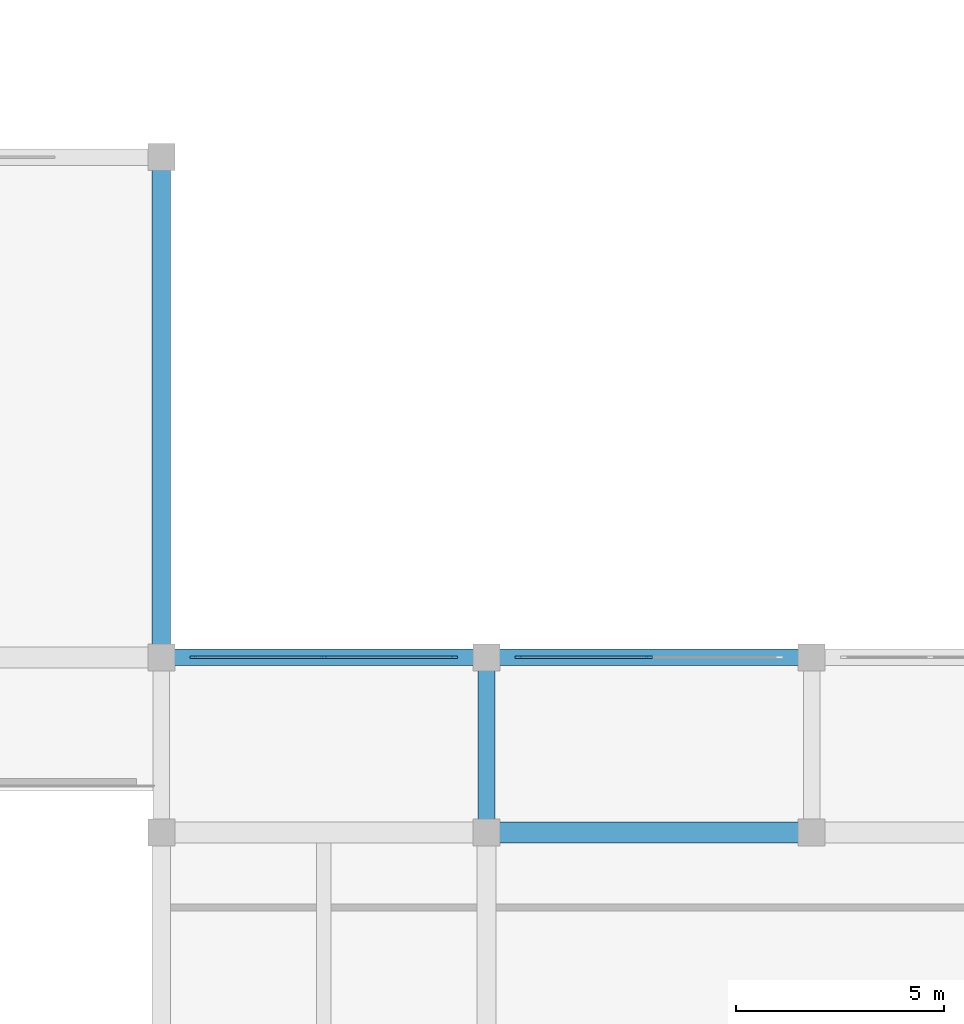
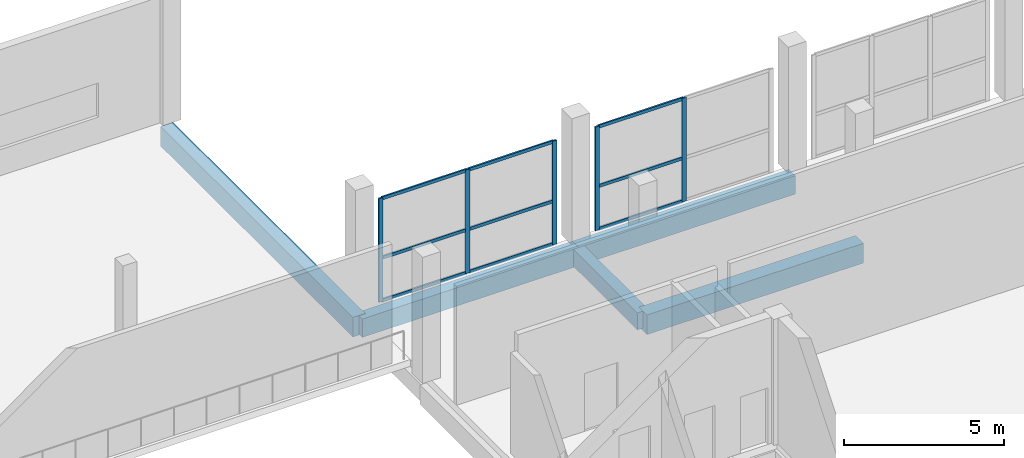
# One storey, part 21 of 47: 14 members, 5 beams, 2 elements without a shape of their own.
"""IFC4 building model written with IfcOpenShell, lengths in metres."""

from ifc_helpers import new_model, si_unit, direction, frame, origin, origin_2d, place, context, subcontext, project, spatial, rectangle, extrude, material, material_profile, profile_set, type_object, element, aggregate, save


model = new_model("IFC4")

# Units and contexts
model_context = context("Model", 3, precision=1e-05, world=origin(), true_north=direction((0.0, 1.0)))
body_context = subcontext(model_context, "Body", "Model", "MODEL_VIEW")
ifc_project = project(units=[si_unit("LENGTHUNIT", "METRE"), si_unit("AREAUNIT", "SQUARE_METRE"), si_unit("VOLUMEUNIT", "CUBIC_METRE"), si_unit("PLANEANGLEUNIT", "RADIAN"), si_unit("MASSUNIT", "GRAM", prefix="KILO")], contexts=[model_context])

# Site, building, storey
site_placement = place(None, origin())
site = spatial("IfcSite", under=ifc_project, at=site_placement, CompositionType="ELEMENT")
building_placement = place(site_placement, origin())
building = spatial("IfcBuilding", under=site, at=building_placement, Name="Vharandega Faculty of Natural Sciences", CompositionType="ELEMENT")
storey_placement = place(building_placement, frame((0.0, 0.0, 5.39990234375)))
storey = spatial("IfcBuildingStorey", under=building, at=storey_placement, Name="L01", CompositionType="ELEMENT", Elevation=5.39990234375)

# Curtain wall, members
ifc_material_1 = material(Name="Aluminium and solar-control glass curtain wall", Category="aluminium")
curtain_wall_type_1 = type_object("IfcCurtainWallType", Name="Unitised Curtain Wall System CW-03", PredefinedType="NOTDEFINED", material=ifc_material_1)
curtain_wall_1_placement = place(storey_placement, origin())
curtain_wall_1 = element("IfcCurtainWall", 1, at=curtain_wall_1_placement, inside=storey, type_object=curtain_wall_type_1, Name="Curtain Wall CW-L01-002", PredefinedType="NOTDEFINED")
ifc_material_2 = material(Name="Thermally broken aluminium 6063-T6", Category="aluminium")
ifc_material_profile_1 = material_profile(ifc_material_2, rectangle(XDim=0.06005859375, YDim=0.159912109375, at=origin_2d()), Name="ALU 60x160")
ifc_profile_set_1 = profile_set([ifc_material_profile_1], Name="Thermally broken aluminium 6063-T6")
member_type_1 = type_object("IfcMemberType", Name="CW Mullion 60x160", PredefinedType="MULLION", material=ifc_profile_set_1)
member_1_placement = place(storey_placement, frame((115.570068359375, 85.0, 0.0), z_axis=(0.0, 0.0, 1.0), x_axis=(0.0, 1.0, 0.0)))
member_1 = element("IfcMember", 2, at=member_1_placement, type_object=member_type_1, Name="CW-03 mullion 1", PredefinedType="MULLION", context=body_context, shape_type="SweptSolid", body=[
    extrude(rectangle(XDim=0.06005859375, YDim=0.159912109375, at=origin_2d()), origin(), (0.0, 0.0, 1.0), 3.9501953125),
])
member_2_placement = place(storey_placement, frame((118.699951171875, 85.0, 0.0), z_axis=(0.0, 0.0, 1.0), x_axis=(0.0, 1.0, 0.0)))
member_2 = element("IfcMember", 3, at=member_2_placement, type_object=member_type_1, Name="CW-03 mullion 2", PredefinedType="MULLION", context=body_context, shape_type="SweptSolid", body=[
    extrude(rectangle(XDim=0.06005859375, YDim=0.159912109375, at=origin_2d()), origin(), (0.0, 0.0, 1.0), 3.9501953125),
])
member_3_placement = place(storey_placement, frame((121.830078125, 85.0, 0.0), z_axis=(0.0, 0.0, 1.0), x_axis=(0.0, 1.0, 0.0)))
member_3 = element("IfcMember", 4, at=member_3_placement, type_object=member_type_1, Name="CW-03 mullion 3", PredefinedType="MULLION", context=body_context, shape_type="SweptSolid", body=[
    extrude(rectangle(XDim=0.06005859375, YDim=0.159912109375, at=origin_2d()), origin(), (0.0, 0.0, 1.0), 3.9501953125),
])

ifc_material_3 = material(Name="Aluminium and solar-control glass curtain wall", Category="aluminium")
curtain_wall_type_2 = type_object("IfcCurtainWallType", Name="Unitised Curtain Wall System CW-04", PredefinedType="NOTDEFINED", material=ifc_material_3)
curtain_wall_2_placement = place(storey_placement, origin())
curtain_wall_2 = element("IfcCurtainWall", 5, at=curtain_wall_2_placement, inside=storey, type_object=curtain_wall_type_2, Name="Curtain Wall CW-L01-003", PredefinedType="NOTDEFINED")
member_4_placement = place(storey_placement, frame((123.3701171875, 85.0, 0.0), z_axis=(0.0, 0.0, 1.0), x_axis=(0.0, 1.0, 0.0)))
member_4 = element("IfcMember", 6, at=member_4_placement, type_object=member_type_1, Name="CW-04 mullion 1", PredefinedType="MULLION", context=body_context, shape_type="SweptSolid", body=[
    extrude(rectangle(XDim=0.06005859375, YDim=0.159912109375, at=origin_2d()), origin(), (0.0, 0.0, 1.0), 3.9501953125),
])
member_5_placement = place(storey_placement, frame((126.5, 85.0, 0.0), z_axis=(0.0, 0.0, 1.0), x_axis=(0.0, 1.0, 0.0)))
member_5 = element("IfcMember", 7, at=member_5_placement, type_object=member_type_1, Name="CW-04 mullion 2", PredefinedType="MULLION", context=body_context, shape_type="SweptSolid", body=[
    extrude(rectangle(XDim=0.06005859375, YDim=0.159912109375, at=origin_2d()), origin(), (0.0, 0.0, 1.0), 3.9501953125),
])

# Member
ifc_material_4 = material(Name="Thermally broken aluminium 6063-T6", Category="aluminium")
ifc_material_profile_2 = material_profile(ifc_material_4, rectangle(XDim=0.06005859375, YDim=0.1201171875, at=origin_2d()), Name="ALU 60x120")
ifc_profile_set_2 = profile_set([ifc_material_profile_2], Name="Thermally broken aluminium 6063-T6")
member_type_2 = type_object("IfcMemberType", Name="CW Transom 60x120", PredefinedType="USERDEFINED", material=ifc_profile_set_2)
member_6_placement = place(storey_placement, frame((115.60009765625, 85.0, 0.030029296875), z_axis=(1.0, 0.0, 0.0), x_axis=(0.0, 1.0, 0.0)))
member_6 = element("IfcMember", 8, at=member_6_placement, type_object=member_type_2, Name="CW-03 transom 1.1", ObjectType="TRANSOM", PredefinedType="USERDEFINED", context=body_context, shape_type="SweptSolid", body=[
    extrude(rectangle(XDim=0.06005859375, YDim=0.1201171875, at=origin_2d()), origin(), (0.0, 0.0, 1.0), 3.06982421875),
])

member_7_placement = place(storey_placement, frame((115.60009765625, 85.0, 1.6591796875), z_axis=(1.0, 0.0, 0.0), x_axis=(0.0, 1.0, 0.0)))
member_7 = element("IfcMember", 9, at=member_7_placement, type_object=member_type_2, Name="CW-03 transom 1.2", ObjectType="TRANSOM", PredefinedType="USERDEFINED", context=body_context, shape_type="SweptSolid", body=[
    extrude(rectangle(XDim=0.06005859375, YDim=0.1201171875, at=origin_2d()), origin(), (0.0, 0.0, 1.0), 3.06982421875),
])

member_8_placement = place(storey_placement, frame((115.60009765625, 85.0, 3.920166015625), z_axis=(1.0, 0.0, 0.0), x_axis=(0.0, 1.0, 0.0)))
member_8 = element("IfcMember", 10, at=member_8_placement, type_object=member_type_2, Name="CW-03 transom 1.3", ObjectType="TRANSOM", PredefinedType="USERDEFINED", context=body_context, shape_type="SweptSolid", body=[
    extrude(rectangle(XDim=0.06005859375, YDim=0.1201171875, at=origin_2d()), origin(), (0.0, 0.0, 1.0), 3.06982421875),
])

member_9_placement = place(storey_placement, frame((118.72998046875, 85.0, 0.030029296875), z_axis=(1.0, 0.0, 0.0), x_axis=(0.0, 1.0, 0.0)))
member_9 = element("IfcMember", 11, at=member_9_placement, type_object=member_type_2, Name="CW-03 transom 2.1", ObjectType="TRANSOM", PredefinedType="USERDEFINED", context=body_context, shape_type="SweptSolid", body=[
    extrude(rectangle(XDim=0.06005859375, YDim=0.1201171875, at=origin_2d()), origin(), (0.0, 0.0, 1.0), 3.070068359375),
])

member_10_placement = place(storey_placement, frame((118.72998046875, 85.0, 1.6591796875), z_axis=(1.0, 0.0, 0.0), x_axis=(0.0, 1.0, 0.0)))
member_10 = element("IfcMember", 12, at=member_10_placement, type_object=member_type_2, Name="CW-03 transom 2.2", ObjectType="TRANSOM", PredefinedType="USERDEFINED", context=body_context, shape_type="SweptSolid", body=[
    extrude(rectangle(XDim=0.06005859375, YDim=0.1201171875, at=origin_2d()), origin(), (0.0, 0.0, 1.0), 3.070068359375),
])

member_11_placement = place(storey_placement, frame((118.72998046875, 85.0, 3.920166015625), z_axis=(1.0, 0.0, 0.0), x_axis=(0.0, 1.0, 0.0)))
member_11 = element("IfcMember", 13, at=member_11_placement, type_object=member_type_2, Name="CW-03 transom 2.3", ObjectType="TRANSOM", PredefinedType="USERDEFINED", context=body_context, shape_type="SweptSolid", body=[
    extrude(rectangle(XDim=0.06005859375, YDim=0.1201171875, at=origin_2d()), origin(), (0.0, 0.0, 1.0), 3.070068359375),
])

aggregate(curtain_wall_1, [member_1, member_2, member_3, member_6, member_7, member_8, member_9, member_10, member_11])

member_12_placement = place(storey_placement, frame((123.39990234375, 85.0, 0.030029296875), z_axis=(1.0, 0.0, 0.0), x_axis=(0.0, 1.0, 0.0)))
member_12 = element("IfcMember", 14, at=member_12_placement, type_object=member_type_2, Name="CW-04 transom 1.1", ObjectType="TRANSOM", PredefinedType="USERDEFINED", context=body_context, shape_type="SweptSolid", body=[
    extrude(rectangle(XDim=0.06005859375, YDim=0.1201171875, at=origin_2d()), origin(), (0.0, 0.0, 1.0), 3.070068359375),
])

member_13_placement = place(storey_placement, frame((123.39990234375, 85.0, 1.6591796875), z_axis=(1.0, 0.0, 0.0), x_axis=(0.0, 1.0, 0.0)))
member_13 = element("IfcMember", 15, at=member_13_placement, type_object=member_type_2, Name="CW-04 transom 1.2", ObjectType="TRANSOM", PredefinedType="USERDEFINED", context=body_context, shape_type="SweptSolid", body=[
    extrude(rectangle(XDim=0.06005859375, YDim=0.1201171875, at=origin_2d()), origin(), (0.0, 0.0, 1.0), 3.070068359375),
])

member_14_placement = place(storey_placement, frame((123.39990234375, 85.0, 3.920166015625), z_axis=(1.0, 0.0, 0.0), x_axis=(0.0, 1.0, 0.0)))
member_14 = element("IfcMember", 16, at=member_14_placement, type_object=member_type_2, Name="CW-04 transom 1.3", ObjectType="TRANSOM", PredefinedType="USERDEFINED", context=body_context, shape_type="SweptSolid", body=[
    extrude(rectangle(XDim=0.06005859375, YDim=0.1201171875, at=origin_2d()), origin(), (0.0, 0.0, 1.0), 3.070068359375),
])

aggregate(curtain_wall_2, [member_4, member_5, member_12, member_13, member_14])

# Beams
ifc_material_5 = material(Name="Concrete C40/50", Category="concrete")
ifc_material_profile_3 = material_profile(ifc_material_5, rectangle(XDim=0.39990234375, YDim=0.64990234375, at=origin_2d()), Name="RC 400x650")
ifc_profile_set_3 = profile_set([ifc_material_profile_3], Name="Concrete C40/50")
beam_type_1 = type_object("IfcBeamType", Name="Podium Floor Beam 400x650", PredefinedType="BEAM", material=ifc_profile_set_3)
beam_1_placement = place(storey_placement, frame((122.60009765625, 80.800048828125, -0.60498046875), z_axis=(0.0, 1.0, 0.0), x_axis=(-1.0, 0.0, 0.0)))
element("IfcBeam", 17, at=beam_1_placement, inside=storey, type_object=beam_type_1, Name="Beam L01 16/L-M", PredefinedType="BEAM", context=body_context, shape_type="SweptSolid", body=[
    extrude(rectangle(XDim=0.39990234375, YDim=0.64990234375, at=origin_2d()), origin(), (0.0, 0.0, 1.0), 4.199951171875),
])
ifc_material_6 = material(Name="Concrete C40/50", Category="concrete")
ifc_material_profile_4 = material_profile(ifc_material_6, rectangle(XDim=0.5, YDim=0.75, at=origin_2d()), Name="RC 500x750")
ifc_profile_set_4 = profile_set([ifc_material_profile_4], Name="Concrete C40/50")
beam_type_2 = type_object("IfcBeamType", Name="Podium Primary Beam 500x750", PredefinedType="BEAM", material=ifc_profile_set_4)
beam_2_placement = place(storey_placement, frame((122.60009765625, 80.800048828125, -0.65478515625), z_axis=(1.0, 0.0, 0.0), x_axis=(0.0, 1.0, 0.0)))
element("IfcBeam", 18, at=beam_2_placement, inside=storey, type_object=beam_type_2, Name="Beam L01 L/16-17", PredefinedType="BEAM", context=body_context, shape_type="SweptSolid", body=[
    extrude(rectangle(XDim=0.5, YDim=0.75, at=origin_2d()), origin(), (0.0, 0.0, 1.0), 7.7998046875),
])
ifc_material_7 = material(Name="Concrete C40/50", Category="concrete")
ifc_material_profile_5 = material_profile(ifc_material_7, rectangle(XDim=0.39990234375, YDim=0.699951171875, at=origin_2d()), Name="RC 400x700")
ifc_profile_set_5 = profile_set([ifc_material_profile_5], Name="Concrete C40/50")
beam_type_3 = type_object("IfcBeamType", Name="Podium Spandrel Beam 400x700", PredefinedType="SPANDREL", material=ifc_profile_set_5)
beam_3_placement = place(storey_placement, frame((114.800048828125, 85.0, -0.6298828125), z_axis=(1.0, 0.0, 0.0), x_axis=(0.0, 1.0, 0.0)))
element("IfcBeam", 19, at=beam_3_placement, inside=storey, type_object=beam_type_3, Name="Beam L01 M/15-16", PredefinedType="SPANDREL", context=body_context, shape_type="SweptSolid", body=[
    extrude(rectangle(XDim=0.39990234375, YDim=0.699951171875, at=origin_2d()), origin(), (0.0, 0.0, 1.0), 7.800048828125),
])
beam_4_placement = place(storey_placement, frame((122.60009765625, 85.0, -0.6298828125), z_axis=(1.0, 0.0, 0.0), x_axis=(0.0, 1.0, 0.0)))
element("IfcBeam", 20, at=beam_4_placement, inside=storey, type_object=beam_type_3, Name="Beam L01 M/16-17", PredefinedType="SPANDREL", context=body_context, shape_type="SweptSolid", body=[
    extrude(rectangle(XDim=0.39990234375, YDim=0.699951171875, at=origin_2d()), origin(), (0.0, 0.0, 1.0), 7.7998046875),
])
ifc_material_8 = material(Name="Concrete C40/50", Category="concrete")
ifc_material_profile_6 = material_profile(ifc_material_8, rectangle(XDim=0.449951171875, YDim=0.75, at=origin_2d()), Name="RC 450x750")
ifc_profile_set_6 = profile_set([ifc_material_profile_6], Name="Concrete C40/50")
beam_type_4 = type_object("IfcBeamType", Name="Podium Spine Beam 450x750", PredefinedType="BEAM", material=ifc_profile_set_6)
beam_5_placement = place(storey_placement, frame((114.800048828125, 85.0, -0.635009765625), z_axis=(0.0, 1.0, 0.0), x_axis=(-1.0, 0.0, 0.0)))
element("IfcBeam", 21, at=beam_5_placement, inside=storey, type_object=beam_type_4, Name="Beam L01 15/M-N", PredefinedType="BEAM", context=body_context, shape_type="SweptSolid", body=[
    extrude(rectangle(XDim=0.449951171875, YDim=0.75, at=origin_2d()), origin(), (0.0, 0.0, 1.0), 12.0),
])

save(model, "model.ifc")
